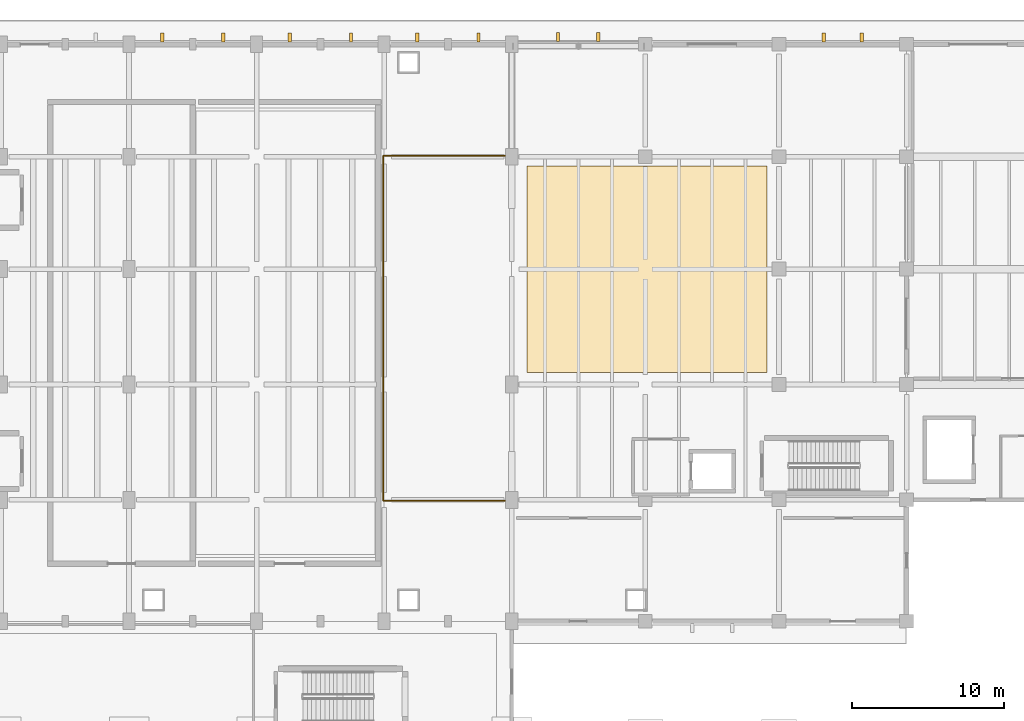
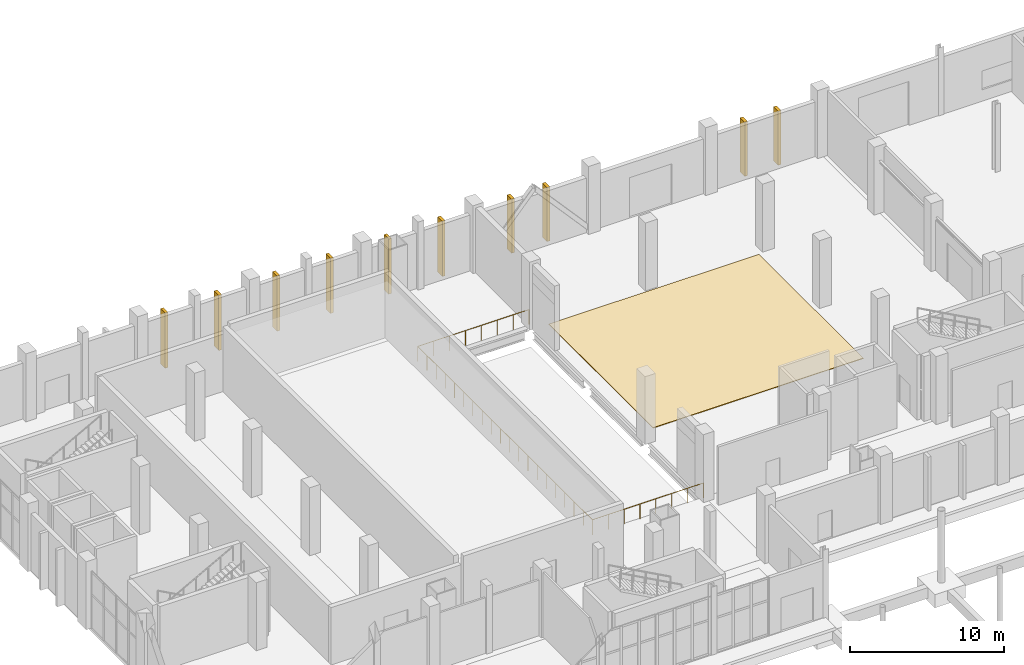
# One storey, part 91 of 95: 10 shading devices, 1 covering, 1 railing.
"""IFC4 building model written with IfcOpenShell, lengths in metres."""

from ifc_helpers import new_model, si_unit, direction, frame, origin, origin_2d, place, context, subcontext, project, spatial, polyline, rectangle, circle, outline, extrude, material, layer, layer_set, type_object, element, save


model = new_model("IFC4")

# Units and contexts
model_context = context("Model", 3, precision=1e-05, world=origin(), true_north=direction((0.0, 1.0)))
body_context = subcontext(model_context, "Body", "Model", "MODEL_VIEW")
ifc_project = project(units=[si_unit("LENGTHUNIT", "METRE"), si_unit("AREAUNIT", "SQUARE_METRE"), si_unit("VOLUMEUNIT", "CUBIC_METRE"), si_unit("PLANEANGLEUNIT", "RADIAN"), si_unit("MASSUNIT", "GRAM", prefix="KILO")], contexts=[model_context])

# Site, building, storey
site_placement = place(None, origin())
site = spatial("IfcSite", under=ifc_project, at=site_placement, CompositionType="ELEMENT")
building_placement = place(site_placement, origin())
building = spatial("IfcBuilding", under=site, at=building_placement, Name="Shengluoqiao Park Theatre", CompositionType="ELEMENT")
storey_placement = place(building_placement, origin())
storey = spatial("IfcBuildingStorey", under=building, at=storey_placement, Name="L00", CompositionType="ELEMENT", Elevation=0.0)

# Shading devices
ifc_material_1 = material(Name="Concrete C45", Category="concrete")
ifc_layer_1 = layer(ifc_material_1, 0.219970703125, Name="Concrete C45")
ifc_layer_set_1 = layer_set([ifc_layer_1], Name="Concrete C45")
shading_device_type = type_object("IfcShadingDeviceType", Name="ENV-FIN-600x220", PredefinedType="USERDEFINED", material=ifc_layer_set_1)
for number, where, z_axis, x_axis, name in (
    (1, (63.387451171875, 114.449951171875, 0.02001953125), (0.0, 0.0, 1.0), (0.0, 1.0, 0.0), "L00 Vertical Concrete Acoustic Rib 0004"),
    (2, (67.41259765625, 114.449951171875, 0.02001953125), (0.0, 0.0, 1.0), (0.0, 1.0, 0.0), "L00 Vertical Concrete Acoustic Rib 0005"),
    (3, (71.78759765625, 114.449951171875, 0.02001953125), (0.0, 0.0, 1.0), (0.0, 1.0, 0.0), "L00 Vertical Concrete Acoustic Rib 0006"),
    (4, (75.8125, 114.449951171875, 0.02001953125), (0.0, 0.0, 1.0), (0.0, 1.0, 0.0), "L00 Vertical Concrete Acoustic Rib 0007"),
    (5, (80.1875, 114.449951171875, 0.02001953125), (0.0, 0.0, 1.0), (0.0, 1.0, 0.0), "L00 Vertical Concrete Acoustic Rib 0008"),
    (6, (84.21240234375, 114.449951171875, 0.02001953125), (0.0, 0.0, 1.0), (0.0, 1.0, 0.0), "L00 Vertical Concrete Acoustic Rib 0009"),
):
    element("IfcShadingDevice", number, at=place(storey_placement, frame(where, z_axis=z_axis, x_axis=x_axis)), inside=storey, type_object=shading_device_type, Name=name, ObjectType="FIN", PredefinedType="USERDEFINED", context=body_context, shape_type="SweptSolid", body=[
        extrude(rectangle(XDim=0.60009765625, YDim=0.219970703125, at=origin_2d()), origin(), (0.0, 0.0, 1.0), 4.387939453125),
    ])
for number, where, z_axis, x_axis, name in (
    (7, (89.451416015625, 114.47509765625, 0.02001953125), (0.0, 0.0, 1.0), (0.0, 1.0, 0.0), "L00 Vertical Concrete Acoustic Rib 0060"),
    (8, (92.0986328125, 114.47509765625, 0.02001953125), (0.0, 0.0, 1.0), (0.0, 1.0, 0.0), "L00 Vertical Concrete Acoustic Rib 0061"),
):
    element("IfcShadingDevice", number, at=place(storey_placement, frame(where, z_axis=z_axis, x_axis=x_axis)), inside=storey, type_object=shading_device_type, Name=name, ObjectType="FIN", PredefinedType="USERDEFINED", context=body_context, shape_type="SweptSolid", body=[
        extrude(rectangle(XDim=0.60009765625, YDim=0.219970703125, at=origin_2d()), origin(), (0.0, 0.0, 1.0), 4.2880859375),
    ])
for number, where, z_axis, x_axis, name in (
    (9, (106.951416015625, 114.449951171875, 0.02001953125), (0.0, 0.0, 1.0), (0.0, 1.0, 0.0), "L00 Vertical Concrete Acoustic Rib 0062"),
    (10, (109.44873046875, 114.449951171875, 0.02001953125), (0.0, 0.0, 1.0), (0.0, 1.0, 0.0), "L00 Vertical Concrete Acoustic Rib 0063"),
):
    element("IfcShadingDevice", number, at=place(storey_placement, frame(where, z_axis=z_axis, x_axis=x_axis)), inside=storey, type_object=shading_device_type, Name=name, ObjectType="FIN", PredefinedType="USERDEFINED", context=body_context, shape_type="SweptSolid", body=[
        extrude(rectangle(XDim=0.60009765625, YDim=0.219970703125, at=origin_2d()), origin(), (0.0, 0.0, 1.0), 4.298095703125),
    ])

# Covering
ifc_material_2 = material(Name="Sprung Oregon pine stage timber", Category="wood")
ifc_layer_2 = layer(ifc_material_2, 0.048095703125, Name="Sprung Oregon pine stage timber")
ifc_layer_set_2 = layer_set([ifc_layer_2], Name="Sprung Oregon pine stage timber")
covering_type = type_object("IfcCoveringType", Name="INT-COV-FLR1", PredefinedType="FLOORING", material=ifc_layer_set_2)
covering_placement = place(storey_placement, origin())
element("IfcCovering", 11, at=covering_placement, inside=storey, type_object=covering_type, Name="Main Stage Sprung Oregon Pine Floor", PredefinedType="FLOORING", context=body_context, shape_type="SweptSolid", body=[
    extrude(outline(polyline([(87.39990234375, 92.39990234375), (103.199951171875, 92.39990234375), (103.199951171875, 106.0), (87.39990234375, 106.0), (87.39990234375, 92.39990234375)])), origin(), (0.0, 0.0, 1.0), 0.048095703125),
])

# Railing
ifc_material_3 = material(Name="Acoustic timber", Category="wood")
railing_type = type_object("IfcRailingType", Name="INT-RL-BAL120", PredefinedType="BALUSTRADE", material=ifc_material_3)
railing_placement = place(storey_placement, frame((86.300048828125, 83.93994140625, 0.0)))
element("IfcRailing", 12, at=railing_placement, inside=storey, type_object=railing_type, Name="L00 Orchestra Pit Acoustic Rail 0020", PredefinedType="BALUSTRADE", context=body_context, shape_type="SweptSolid", body=[
    extrude(circle(Radius=0.02392578125, at=origin_2d()), frame((0.0, 0.0, 1.17578125), z_axis=(-1.0, 0.0, 0.0), x_axis=(0.0, -1.0, 0.0)), (0.0, 0.0, 1.0), 8.360107421875),
    extrude(circle(Radius=0.02392578125, at=origin_2d()), frame((-8.360107421875, 0.0, 1.17578125), z_axis=(0.0, 1.0, 0.0), x_axis=(-1.0, 0.0, 0.0)), (0.0, 0.0, 1.0), 22.719970703125),
    extrude(circle(Radius=0.02392578125, at=origin_2d()), frame((-8.360107421875, 22.719970703125, 1.17578125), z_axis=(1.0, 0.0, 0.0), x_axis=(0.0, 1.0, 0.0)), (0.0, 0.0, 1.0), 8.360107421875),
    extrude(circle(Radius=0.02099609375, at=origin_2d()), origin(), (0.0, 0.0, 1.0), 1.15185546875),
    extrude(circle(Radius=0.02099609375, at=origin_2d()), frame((-1.1943359375, 0.0, 0.0)), (0.0, 0.0, 1.0), 1.15185546875),
    extrude(circle(Radius=0.02099609375, at=origin_2d()), frame((-2.388671875, 0.0, 0.0)), (0.0, 0.0, 1.0), 1.15185546875),
    extrude(circle(Radius=0.02099609375, at=origin_2d()), frame((-3.5830078125, 0.0, 0.0)), (0.0, 0.0, 1.0), 1.15185546875),
    extrude(circle(Radius=0.02099609375, at=origin_2d()), frame((-4.777099609375, 0.0, 0.0)), (0.0, 0.0, 1.0), 1.15185546875),
    extrude(circle(Radius=0.02099609375, at=origin_2d()), frame((-5.971435546875, 0.0, 0.0)), (0.0, 0.0, 1.0), 1.15185546875),
    extrude(circle(Radius=0.02099609375, at=origin_2d()), frame((-7.165771484375, 0.0, 0.0)), (0.0, 0.0, 1.0), 1.15185546875),
    extrude(circle(Radius=0.02099609375, at=origin_2d()), frame((-8.360107421875, 0.0, 0.0)), (0.0, 0.0, 1.0), 1.15185546875),
    extrude(circle(Radius=0.02099609375, at=origin_2d()), frame((-8.360107421875, 1.19580078125, 0.0)), (0.0, 0.0, 1.0), 1.15185546875),
    extrude(circle(Radius=0.02099609375, at=origin_2d()), frame((-8.360107421875, 2.3916015625, 0.0)), (0.0, 0.0, 1.0), 1.15185546875),
    extrude(circle(Radius=0.02099609375, at=origin_2d()), frame((-8.360107421875, 3.58740234375, 0.0)), (0.0, 0.0, 1.0), 1.15185546875),
    extrude(circle(Radius=0.02099609375, at=origin_2d()), frame((-8.360107421875, 4.783203125, 0.0)), (0.0, 0.0, 1.0), 1.15185546875),
    extrude(circle(Radius=0.02099609375, at=origin_2d()), frame((-8.360107421875, 5.97900390625, 0.0)), (0.0, 0.0, 1.0), 1.15185546875),
    extrude(circle(Radius=0.02099609375, at=origin_2d()), frame((-8.360107421875, 7.1748046875, 0.0)), (0.0, 0.0, 1.0), 1.15185546875),
    extrude(circle(Radius=0.02099609375, at=origin_2d()), frame((-8.360107421875, 8.37060546875, 0.0)), (0.0, 0.0, 1.0), 1.15185546875),
    extrude(circle(Radius=0.02099609375, at=origin_2d()), frame((-8.360107421875, 9.56640625, 0.0)), (0.0, 0.0, 1.0), 1.15185546875),
    extrude(circle(Radius=0.02099609375, at=origin_2d()), frame((-8.360107421875, 10.76220703125, 0.0)), (0.0, 0.0, 1.0), 1.15185546875),
    extrude(circle(Radius=0.02099609375, at=origin_2d()), frame((-8.360107421875, 11.957763671875, 0.0)), (0.0, 0.0, 1.0), 1.15185546875),
    extrude(circle(Radius=0.02099609375, at=origin_2d()), frame((-8.360107421875, 13.153564453125, 0.0)), (0.0, 0.0, 1.0), 1.15185546875),
    extrude(circle(Radius=0.02099609375, at=origin_2d()), frame((-8.360107421875, 14.349365234375, 0.0)), (0.0, 0.0, 1.0), 1.15185546875),
    extrude(circle(Radius=0.02099609375, at=origin_2d()), frame((-8.360107421875, 15.545166015625, 0.0)), (0.0, 0.0, 1.0), 1.15185546875),
    extrude(circle(Radius=0.02099609375, at=origin_2d()), frame((-8.360107421875, 16.740966796875, 0.0)), (0.0, 0.0, 1.0), 1.15185546875),
    extrude(circle(Radius=0.02099609375, at=origin_2d()), frame((-8.360107421875, 17.936767578125, 0.0)), (0.0, 0.0, 1.0), 1.15185546875),
    extrude(circle(Radius=0.02099609375, at=origin_2d()), frame((-8.360107421875, 19.132568359375, 0.0)), (0.0, 0.0, 1.0), 1.15185546875),
    extrude(circle(Radius=0.02099609375, at=origin_2d()), frame((-8.360107421875, 20.328369140625, 0.0)), (0.0, 0.0, 1.0), 1.15185546875),
    extrude(circle(Radius=0.02099609375, at=origin_2d()), frame((-8.360107421875, 21.524169921875, 0.0)), (0.0, 0.0, 1.0), 1.15185546875),
    extrude(circle(Radius=0.02099609375, at=origin_2d()), frame((-8.360107421875, 22.719970703125, 0.0)), (0.0, 0.0, 1.0), 1.15185546875),
    extrude(circle(Radius=0.02099609375, at=origin_2d()), frame((-7.165771484375, 22.719970703125, 0.0)), (0.0, 0.0, 1.0), 1.15185546875),
    extrude(circle(Radius=0.02099609375, at=origin_2d()), frame((-5.971435546875, 22.719970703125, 0.0)), (0.0, 0.0, 1.0), 1.15185546875),
    extrude(circle(Radius=0.02099609375, at=origin_2d()), frame((-4.777099609375, 22.719970703125, 0.0)), (0.0, 0.0, 1.0), 1.15185546875),
    extrude(circle(Radius=0.02099609375, at=origin_2d()), frame((-3.5830078125, 22.719970703125, 0.0)), (0.0, 0.0, 1.0), 1.15185546875),
    extrude(circle(Radius=0.02099609375, at=origin_2d()), frame((-2.388671875, 22.719970703125, 0.0)), (0.0, 0.0, 1.0), 1.15185546875),
    extrude(circle(Radius=0.02099609375, at=origin_2d()), frame((-1.1943359375, 22.719970703125, 0.0)), (0.0, 0.0, 1.0), 1.15185546875),
    extrude(circle(Radius=0.02099609375, at=origin_2d()), frame((0.0, 22.719970703125, 0.0)), (0.0, 0.0, 1.0), 1.15185546875),
])

save(model, "model.ifc")
